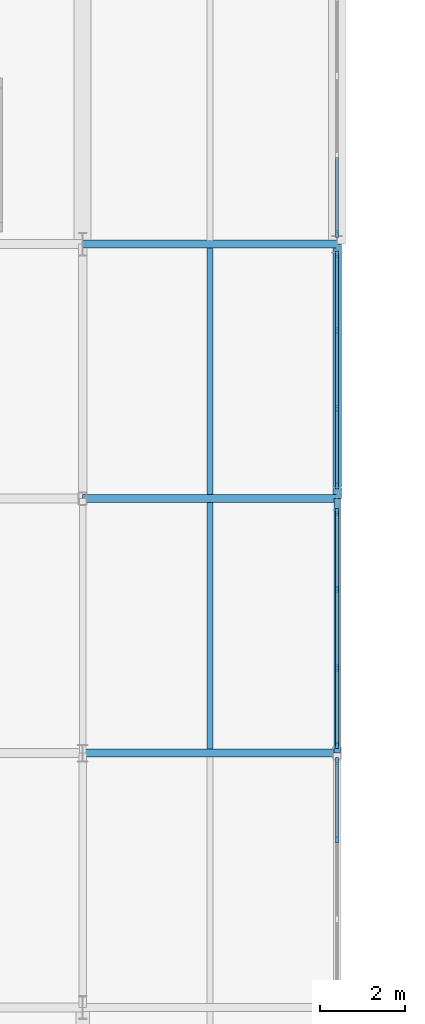
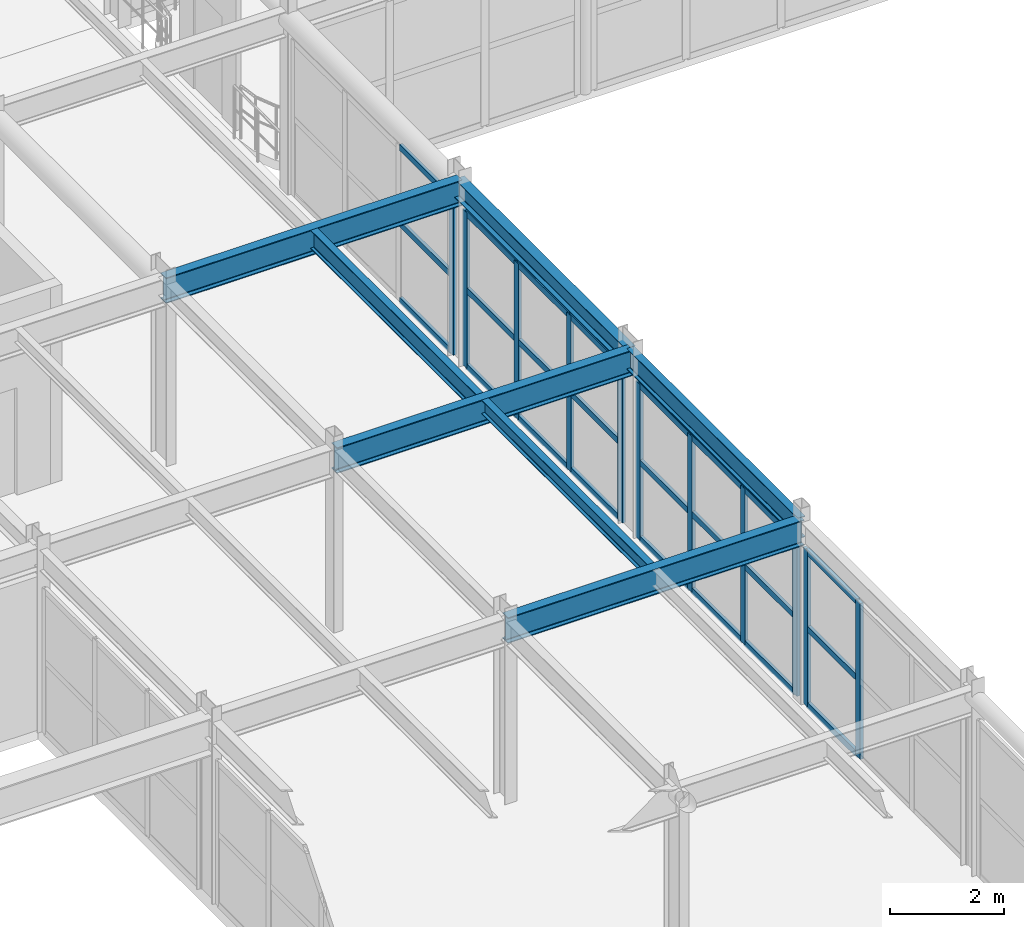
# One storey, part 41 of 116: 35 members, 7 beams, 4 elements without a shape of their own.
"""IFC4 building model written with IfcOpenShell, lengths in metres."""

from ifc_helpers import new_model, si_unit, direction, frame, origin, origin_2d, place, context, subcontext, project, spatial, rectangle, i_section, extrude, material, material_profile, profile_set, type_object, element, aggregate, save


model = new_model("IFC4")

# Units and contexts
model_context = context("Model", 3, precision=1e-05, world=origin(), true_north=direction((0.0, 1.0)))
body_context = subcontext(model_context, "Body", "Model", "MODEL_VIEW")
ifc_project = project(units=[si_unit("LENGTHUNIT", "METRE"), si_unit("AREAUNIT", "SQUARE_METRE"), si_unit("VOLUMEUNIT", "CUBIC_METRE"), si_unit("PLANEANGLEUNIT", "RADIAN"), si_unit("MASSUNIT", "GRAM", prefix="KILO")], contexts=[model_context])

# Site, building, storey
site_placement = place(None, origin())
site = spatial("IfcSite", under=ifc_project, at=site_placement, CompositionType="ELEMENT")
building_placement = place(site_placement, origin())
building = spatial("IfcBuilding", under=site, at=building_placement, Name="Varnakota Square Police Headquarters", CompositionType="ELEMENT")
storey_placement = place(building_placement, frame((0.0, 0.0, 9.300048828125)))
storey = spatial("IfcBuildingStorey", under=building, at=storey_placement, Name="L02", CompositionType="ELEMENT", Elevation=9.300048828125)

# Beams
ifc_material_1 = material(Name="Steel IS 2062 Grade 350", Category="steel")
ifc_material_profile_1 = material_profile(ifc_material_1, i_section(OverallWidth=0.139892578125, OverallDepth=0.300048828125, WebThickness=0.0078125, FlangeThickness=0.01318359375, FilletRadius=0.013916015625, at=origin_2d()), Name="ISMB 300")
ifc_profile_set_1 = profile_set([ifc_material_profile_1], Name="Steel IS 2062 Grade 350")
beam_type_1 = type_object("IfcBeamType", Name="BM-ISMB300", PredefinedType="JOIST", material=ifc_profile_set_1)
beam_1_placement = place(storey_placement, frame((39.0, 51.093017578125, 3.75), z_axis=(0.0, 1.0, 0.0), x_axis=(-1.0, 0.0, 0.0)))
element("IfcBeam", 1, at=beam_1_placement, inside=storey, type_object=beam_type_1, Name="BMG-L02-2364", PredefinedType="JOIST", context=body_context, shape_type="SweptSolid", body=[
    extrude(i_section(OverallWidth=0.139892578125, OverallDepth=0.300048828125, WebThickness=0.0078125, FlangeThickness=0.01318359375, FilletRadius=0.013916015625, at=origin_2d()), origin(), (0.0, 0.0, 1.0), 5.81396484375),
])
ifc_material_profile_2 = material_profile(ifc_material_1, i_section(OverallWidth=0.139892578125, OverallDepth=0.39990234375, WebThickness=0.0087890625, FlangeThickness=0.01611328125, FilletRadius=0.013916015625, at=origin_2d()), Name="ISMB 400")
ifc_profile_set_2 = profile_set([ifc_material_profile_2], Name="Steel IS 2062 Grade 350")
beam_type_2 = type_object("IfcBeamType", Name="BM-ISMB400", PredefinedType="JOIST", material=ifc_profile_set_2)
beam_2_placement = place(storey_placement, frame((39.0, 57.093017578125, 3.699951171875), z_axis=(0.0, 1.0, 0.0), x_axis=(-1.0, 0.0, 0.0)))
element("IfcBeam", 2, at=beam_2_placement, inside=storey, type_object=beam_type_2, Name="BMG-L02-2365", PredefinedType="JOIST", context=body_context, shape_type="SweptSolid", body=[
    extrude(i_section(OverallWidth=0.139892578125, OverallDepth=0.39990234375, WebThickness=0.0087890625, FlangeThickness=0.01611328125, FilletRadius=0.013916015625, at=origin_2d()), origin(), (0.0, 0.0, 1.0), 5.81396484375),
])
ifc_material_profile_3 = material_profile(ifc_material_1, i_section(OverallWidth=0.14990234375, OverallDepth=0.449951171875, WebThickness=0.009521484375, FlangeThickness=0.017333984375, FilletRadius=0.014892578125, at=origin_2d()), Name="ISMB 450")
ifc_profile_set_3 = profile_set([ifc_material_profile_3], Name="Steel IS 2062 Grade 350")
beam_type_3 = type_object("IfcBeamType", Name="BM-ISMB450", PredefinedType="BEAM", material=ifc_profile_set_3)
beam_3_placement = place(storey_placement, frame((42.0, 51.0, 3.675048828125), z_axis=(0.0, 1.0, 0.0), x_axis=(-1.0, 0.0, 0.0)))
element("IfcBeam", 3, at=beam_3_placement, inside=storey, type_object=beam_type_3, Name="BMG-L02-2188", PredefinedType="BEAM", context=body_context, shape_type="SweptSolid", body=[
    extrude(i_section(OverallWidth=0.14990234375, OverallDepth=0.449951171875, WebThickness=0.009521484375, FlangeThickness=0.017333984375, FilletRadius=0.014892578125, at=origin_2d()), origin(), (0.0, 0.0, 1.0), 6.0),
])
ifc_material_profile_4 = material_profile(ifc_material_1, i_section(OverallWidth=0.18994140625, OverallDepth=0.550048828125, WebThickness=0.01123046875, FlangeThickness=0.019287109375, FilletRadius=0.01806640625, at=origin_2d()), Name="ISMB 550")
ifc_profile_set_4 = profile_set([ifc_material_profile_4], Name="Steel IS 2062 Grade 350")
beam_type_4 = type_object("IfcBeamType", Name="BM-ISMB550", PredefinedType="BEAM", material=ifc_profile_set_4)
for number, where, z_axis, x_axis, name in (
    (4, (36.0, 51.0, 3.625), (1.0, 0.0, 0.0), (0.0, 1.0, 0.0), "BMG-L02-1993"),
    (5, (36.0, 57.0, 3.625), (1.0, 0.0, 0.0), (0.0, 1.0, 0.0), "BMG-L02-1999"),
    (6, (36.0, 63.0, 3.625), (1.0, 0.0, 0.0), (0.0, 1.0, 0.0), "BMG-L02-2005"),
):
    element("IfcBeam", number, at=place(storey_placement, frame(where, z_axis=z_axis, x_axis=x_axis)), inside=storey, type_object=beam_type_4, Name=name, PredefinedType="BEAM", context=body_context, shape_type="SweptSolid", body=[
        extrude(i_section(OverallWidth=0.18994140625, OverallDepth=0.550048828125, WebThickness=0.01123046875, FlangeThickness=0.019287109375, FilletRadius=0.01806640625, at=origin_2d()), origin(), (0.0, 0.0, 1.0), 6.0),
    ])
ifc_material_profile_5 = material_profile(ifc_material_1, i_section(OverallWidth=0.199951171875, OverallDepth=0.39990234375, WebThickness=0.008544921875, FlangeThickness=0.012939453125, FilletRadius=0.012939453125, at=origin_2d()), Name="ISWB 400")
ifc_profile_set_5 = profile_set([ifc_material_profile_5], Name="Steel IS 2062 Grade 350")
beam_type_5 = type_object("IfcBeamType", Name="BM-ISWB400", PredefinedType="BEAM", material=ifc_profile_set_5)
beam_4_placement = place(storey_placement, frame((42.0, 57.0, 3.699951171875), z_axis=(0.0, 1.0, 0.0), x_axis=(-1.0, 0.0, 0.0)))
element("IfcBeam", 7, at=beam_4_placement, inside=storey, type_object=beam_type_5, Name="BMG-L02-2189", PredefinedType="BEAM", context=body_context, shape_type="SweptSolid", body=[
    extrude(i_section(OverallWidth=0.199951171875, OverallDepth=0.39990234375, WebThickness=0.008544921875, FlangeThickness=0.012939453125, FilletRadius=0.012939453125, at=origin_2d()), origin(), (0.0, 0.0, 1.0), 6.0),
])

# Curtain wall, members
ifc_material_2 = material(Name="Anodised Aluminium Framing", Category="aluminium")
curtain_wall_type = type_object("IfcCurtainWallType", Name="CW-SYS-D", PredefinedType="NOTDEFINED", material=ifc_material_2)
curtain_wall_1_placement = place(storey_placement, origin())
curtain_wall_1 = element("IfcCurtainWall", 8, at=curtain_wall_1_placement, inside=storey, type_object=curtain_wall_type, Name="Unitised curtain wall CWG-L02-157", PredefinedType="NOTDEFINED")
ifc_material_3 = material(Name="Anodised Aluminium 6063-T6", Category="aluminium")
ifc_material_profile_6 = material_profile(ifc_material_3, rectangle(XDim=0.06494140625, YDim=0.159912109375, at=origin_2d()), Name="ALU MULLION 65x160")
ifc_profile_set_6 = profile_set([ifc_material_profile_6], Name="Anodised Aluminium 6063-T6")
member_type_1 = type_object("IfcMemberType", Name="CWM-150", PredefinedType="MULLION", material=ifc_profile_set_6)
member_1_placement = place(storey_placement, frame((42.0, 48.965087890625, 0.0), z_axis=(0.0, 0.0, 1.0), x_axis=(-1.0, 0.0, 0.0)))
member_1 = element("IfcMember", 9, at=member_1_placement, type_object=member_type_1, Name="CWG-L02-157 mullion 3", PredefinedType="MULLION", context=body_context, shape_type="SweptSolid", body=[
    extrude(rectangle(XDim=0.06494140625, YDim=0.159912109375, at=origin_2d()), origin(), (0.0, 0.0, 1.0), 3.33984375),
])
member_2_placement = place(storey_placement, frame((42.0, 50.8125, 0.0), z_axis=(0.0, 0.0, 1.0), x_axis=(-1.0, 0.0, 0.0)))
member_2 = element("IfcMember", 10, at=member_2_placement, type_object=member_type_1, Name="CWG-L02-157 mullion 4", PredefinedType="MULLION", context=body_context, shape_type="SweptSolid", body=[
    extrude(rectangle(XDim=0.06494140625, YDim=0.159912109375, at=origin_2d()), origin(), (0.0, 0.0, 1.0), 3.33984375),
])

curtain_wall_2_placement = place(storey_placement, origin())
curtain_wall_2 = element("IfcCurtainWall", 11, at=curtain_wall_2_placement, inside=storey, type_object=curtain_wall_type, Name="Unitised curtain wall CWG-L02-158", PredefinedType="NOTDEFINED")
member_3_placement = place(storey_placement, frame((42.0, 51.1875, 0.0), z_axis=(0.0, 0.0, 1.0), x_axis=(-1.0, 0.0, 0.0)))
member_3 = element("IfcMember", 12, at=member_3_placement, type_object=member_type_1, Name="CWG-L02-158 mullion 1", PredefinedType="MULLION", context=body_context, shape_type="SweptSolid", body=[
    extrude(rectangle(XDim=0.06494140625, YDim=0.159912109375, at=origin_2d()), origin(), (0.0, 0.0, 1.0), 3.33984375),
])
member_4_placement = place(storey_placement, frame((42.0, 53.010009765625, 0.0), z_axis=(0.0, 0.0, 1.0), x_axis=(-1.0, 0.0, 0.0)))
member_4 = element("IfcMember", 13, at=member_4_placement, type_object=member_type_1, Name="CWG-L02-158 mullion 2", PredefinedType="MULLION", context=body_context, shape_type="SweptSolid", body=[
    extrude(rectangle(XDim=0.06494140625, YDim=0.159912109375, at=origin_2d()), origin(), (0.0, 0.0, 1.0), 3.33984375),
])
member_5_placement = place(storey_placement, frame((42.0, 54.864990234375, 0.0), z_axis=(0.0, 0.0, 1.0), x_axis=(-1.0, 0.0, 0.0)))
member_5 = element("IfcMember", 14, at=member_5_placement, type_object=member_type_1, Name="CWG-L02-158 mullion 3", PredefinedType="MULLION", context=body_context, shape_type="SweptSolid", body=[
    extrude(rectangle(XDim=0.06494140625, YDim=0.159912109375, at=origin_2d()), origin(), (0.0, 0.0, 1.0), 3.33984375),
])
member_6_placement = place(storey_placement, frame((42.0, 56.6875, 0.0), z_axis=(0.0, 0.0, 1.0), x_axis=(-1.0, 0.0, 0.0)))
member_6 = element("IfcMember", 15, at=member_6_placement, type_object=member_type_1, Name="CWG-L02-158 mullion 4", PredefinedType="MULLION", context=body_context, shape_type="SweptSolid", body=[
    extrude(rectangle(XDim=0.06494140625, YDim=0.159912109375, at=origin_2d()), origin(), (0.0, 0.0, 1.0), 3.33984375),
])

curtain_wall_3_placement = place(storey_placement, origin())
curtain_wall_3 = element("IfcCurtainWall", 16, at=curtain_wall_3_placement, inside=storey, type_object=curtain_wall_type, Name="Unitised curtain wall CWG-L02-159", PredefinedType="NOTDEFINED")
member_7_placement = place(storey_placement, frame((42.0, 57.3125, 0.0), z_axis=(0.0, 0.0, 1.0), x_axis=(-1.0, 0.0, 0.0)))
member_7 = element("IfcMember", 17, at=member_7_placement, type_object=member_type_1, Name="CWG-L02-159 mullion 1", PredefinedType="MULLION", context=body_context, shape_type="SweptSolid", body=[
    extrude(rectangle(XDim=0.06494140625, YDim=0.159912109375, at=origin_2d()), origin(), (0.0, 0.0, 1.0), 3.33984375),
])
member_8_placement = place(storey_placement, frame((42.0, 59.118408203125, 0.0), z_axis=(0.0, 0.0, 1.0), x_axis=(-1.0, 0.0, 0.0)))
member_8 = element("IfcMember", 18, at=member_8_placement, type_object=member_type_1, Name="CWG-L02-159 mullion 2", PredefinedType="MULLION", context=body_context, shape_type="SweptSolid", body=[
    extrude(rectangle(XDim=0.06494140625, YDim=0.159912109375, at=origin_2d()), origin(), (0.0, 0.0, 1.0), 3.33984375),
])
member_9_placement = place(storey_placement, frame((42.0, 60.956787109375, 0.0), z_axis=(0.0, 0.0, 1.0), x_axis=(-1.0, 0.0, 0.0)))
member_9 = element("IfcMember", 19, at=member_9_placement, type_object=member_type_1, Name="CWG-L02-159 mullion 3", PredefinedType="MULLION", context=body_context, shape_type="SweptSolid", body=[
    extrude(rectangle(XDim=0.06494140625, YDim=0.159912109375, at=origin_2d()), origin(), (0.0, 0.0, 1.0), 3.33984375),
])
member_10_placement = place(storey_placement, frame((42.0, 62.762451171875, 0.0), z_axis=(0.0, 0.0, 1.0), x_axis=(-1.0, 0.0, 0.0)))
member_10 = element("IfcMember", 20, at=member_10_placement, type_object=member_type_1, Name="CWG-L02-159 mullion 4", PredefinedType="MULLION", context=body_context, shape_type="SweptSolid", body=[
    extrude(rectangle(XDim=0.06494140625, YDim=0.159912109375, at=origin_2d()), origin(), (0.0, 0.0, 1.0), 3.33984375),
])

# Curtain wall, member
curtain_wall_4_placement = place(storey_placement, origin())
curtain_wall_4 = element("IfcCurtainWall", 21, at=curtain_wall_4_placement, inside=storey, type_object=curtain_wall_type, Name="Unitised curtain wall CWG-L02-160", PredefinedType="NOTDEFINED")
member_11_placement = place(storey_placement, frame((42.0, 63.237548828125, 0.0), z_axis=(0.0, 0.0, 1.0), x_axis=(-1.0, 0.0, 0.0)))
member_11 = element("IfcMember", 22, at=member_11_placement, type_object=member_type_1, Name="CWG-L02-160 mullion 1", PredefinedType="MULLION", context=body_context, shape_type="SweptSolid", body=[
    extrude(rectangle(XDim=0.06494140625, YDim=0.159912109375, at=origin_2d()), origin(), (0.0, 0.0, 1.0), 3.33984375),
])

# Member
ifc_material_profile_7 = material_profile(ifc_material_3, rectangle(XDim=0.06494140625, YDim=0.1298828125, at=origin_2d()), Name="ALU TRANSOM 65x130")
ifc_profile_set_7 = profile_set([ifc_material_profile_7], Name="Anodised Aluminium 6063-T6")
member_type_2 = type_object("IfcMemberType", Name="CWT-120", PredefinedType="USERDEFINED", material=ifc_profile_set_7)
member_12_placement = place(storey_placement, frame((42.0, 48.99755859375, 0.032470703125), z_axis=(0.0, 1.0, 0.0), x_axis=(-1.0, 0.0, 0.0)))
member_12 = element("IfcMember", 23, at=member_12_placement, type_object=member_type_2, Name="CWG-L02-157 transom 3.1", ObjectType="TRANSOM", PredefinedType="USERDEFINED", context=body_context, shape_type="SweptSolid", body=[
    extrude(rectangle(XDim=0.06494140625, YDim=0.1298828125, at=origin_2d()), origin(), (0.0, 0.0, 1.0), 1.782470703125),
])

member_13_placement = place(storey_placement, frame((42.0, 48.99755859375, 1.669921875), z_axis=(0.0, 1.0, 0.0), x_axis=(-1.0, 0.0, 0.0)))
member_13 = element("IfcMember", 24, at=member_13_placement, type_object=member_type_2, Name="CWG-L02-157 transom 3.2", ObjectType="TRANSOM", PredefinedType="USERDEFINED", context=body_context, shape_type="SweptSolid", body=[
    extrude(rectangle(XDim=0.06494140625, YDim=0.1298828125, at=origin_2d()), origin(), (0.0, 0.0, 1.0), 1.782470703125),
])

member_14_placement = place(storey_placement, frame((42.0, 48.99755859375, 3.307373046875), z_axis=(0.0, 1.0, 0.0), x_axis=(-1.0, 0.0, 0.0)))
member_14 = element("IfcMember", 25, at=member_14_placement, type_object=member_type_2, Name="CWG-L02-157 transom 3.3", ObjectType="TRANSOM", PredefinedType="USERDEFINED", context=body_context, shape_type="SweptSolid", body=[
    extrude(rectangle(XDim=0.06494140625, YDim=0.1298828125, at=origin_2d()), origin(), (0.0, 0.0, 1.0), 1.782470703125),
])

aggregate(curtain_wall_1, [member_1, member_2, member_12, member_13, member_14])

member_15_placement = place(storey_placement, frame((42.0, 51.219970703125, 0.032470703125), z_axis=(0.0, 1.0, 0.0), x_axis=(-1.0, 0.0, 0.0)))
member_15 = element("IfcMember", 26, at=member_15_placement, type_object=member_type_2, Name="CWG-L02-158 transom 1.1", ObjectType="TRANSOM", PredefinedType="USERDEFINED", context=body_context, shape_type="SweptSolid", body=[
    extrude(rectangle(XDim=0.06494140625, YDim=0.1298828125, at=origin_2d()), origin(), (0.0, 0.0, 1.0), 1.757568359375),
])

member_16_placement = place(storey_placement, frame((42.0, 51.219970703125, 1.669921875), z_axis=(0.0, 1.0, 0.0), x_axis=(-1.0, 0.0, 0.0)))
member_16 = element("IfcMember", 27, at=member_16_placement, type_object=member_type_2, Name="CWG-L02-158 transom 1.2", ObjectType="TRANSOM", PredefinedType="USERDEFINED", context=body_context, shape_type="SweptSolid", body=[
    extrude(rectangle(XDim=0.06494140625, YDim=0.1298828125, at=origin_2d()), origin(), (0.0, 0.0, 1.0), 1.757568359375),
])

member_17_placement = place(storey_placement, frame((42.0, 51.219970703125, 3.307373046875), z_axis=(0.0, 1.0, 0.0), x_axis=(-1.0, 0.0, 0.0)))
member_17 = element("IfcMember", 28, at=member_17_placement, type_object=member_type_2, Name="CWG-L02-158 transom 1.3", ObjectType="TRANSOM", PredefinedType="USERDEFINED", context=body_context, shape_type="SweptSolid", body=[
    extrude(rectangle(XDim=0.06494140625, YDim=0.1298828125, at=origin_2d()), origin(), (0.0, 0.0, 1.0), 1.757568359375),
])

member_18_placement = place(storey_placement, frame((42.0, 53.04248046875, 0.032470703125), z_axis=(0.0, 1.0, 0.0), x_axis=(-1.0, 0.0, 0.0)))
member_18 = element("IfcMember", 29, at=member_18_placement, type_object=member_type_2, Name="CWG-L02-158 transom 2.1", ObjectType="TRANSOM", PredefinedType="USERDEFINED", context=body_context, shape_type="SweptSolid", body=[
    extrude(rectangle(XDim=0.06494140625, YDim=0.1298828125, at=origin_2d()), origin(), (0.0, 0.0, 1.0), 1.7900390625),
])

member_19_placement = place(storey_placement, frame((42.0, 53.04248046875, 1.669921875), z_axis=(0.0, 1.0, 0.0), x_axis=(-1.0, 0.0, 0.0)))
member_19 = element("IfcMember", 30, at=member_19_placement, type_object=member_type_2, Name="CWG-L02-158 transom 2.2", ObjectType="TRANSOM", PredefinedType="USERDEFINED", context=body_context, shape_type="SweptSolid", body=[
    extrude(rectangle(XDim=0.06494140625, YDim=0.1298828125, at=origin_2d()), origin(), (0.0, 0.0, 1.0), 1.7900390625),
])

member_20_placement = place(storey_placement, frame((42.0, 53.04248046875, 3.307373046875), z_axis=(0.0, 1.0, 0.0), x_axis=(-1.0, 0.0, 0.0)))
member_20 = element("IfcMember", 31, at=member_20_placement, type_object=member_type_2, Name="CWG-L02-158 transom 2.3", ObjectType="TRANSOM", PredefinedType="USERDEFINED", context=body_context, shape_type="SweptSolid", body=[
    extrude(rectangle(XDim=0.06494140625, YDim=0.1298828125, at=origin_2d()), origin(), (0.0, 0.0, 1.0), 1.7900390625),
])

member_21_placement = place(storey_placement, frame((42.0, 54.8974609375, 0.032470703125), z_axis=(0.0, 1.0, 0.0), x_axis=(-1.0, 0.0, 0.0)))
member_21 = element("IfcMember", 32, at=member_21_placement, type_object=member_type_2, Name="CWG-L02-158 transom 3.1", ObjectType="TRANSOM", PredefinedType="USERDEFINED", context=body_context, shape_type="SweptSolid", body=[
    extrude(rectangle(XDim=0.06494140625, YDim=0.1298828125, at=origin_2d()), origin(), (0.0, 0.0, 1.0), 1.757568359375),
])

member_22_placement = place(storey_placement, frame((42.0, 54.8974609375, 1.669921875), z_axis=(0.0, 1.0, 0.0), x_axis=(-1.0, 0.0, 0.0)))
member_22 = element("IfcMember", 33, at=member_22_placement, type_object=member_type_2, Name="CWG-L02-158 transom 3.2", ObjectType="TRANSOM", PredefinedType="USERDEFINED", context=body_context, shape_type="SweptSolid", body=[
    extrude(rectangle(XDim=0.06494140625, YDim=0.1298828125, at=origin_2d()), origin(), (0.0, 0.0, 1.0), 1.757568359375),
])

member_23_placement = place(storey_placement, frame((42.0, 54.8974609375, 3.307373046875), z_axis=(0.0, 1.0, 0.0), x_axis=(-1.0, 0.0, 0.0)))
member_23 = element("IfcMember", 34, at=member_23_placement, type_object=member_type_2, Name="CWG-L02-158 transom 3.3", ObjectType="TRANSOM", PredefinedType="USERDEFINED", context=body_context, shape_type="SweptSolid", body=[
    extrude(rectangle(XDim=0.06494140625, YDim=0.1298828125, at=origin_2d()), origin(), (0.0, 0.0, 1.0), 1.757568359375),
])

aggregate(curtain_wall_2, [member_3, member_4, member_5, member_6, member_15, member_16, member_17, member_18, member_19, member_20, member_21, member_22, member_23])

member_24_placement = place(storey_placement, frame((42.0, 57.344970703125, 0.032470703125), z_axis=(0.0, 1.0, 0.0), x_axis=(-1.0, 0.0, 0.0)))
member_24 = element("IfcMember", 35, at=member_24_placement, type_object=member_type_2, Name="CWG-L02-159 transom 1.1", ObjectType="TRANSOM", PredefinedType="USERDEFINED", context=body_context, shape_type="SweptSolid", body=[
    extrude(rectangle(XDim=0.06494140625, YDim=0.1298828125, at=origin_2d()), origin(), (0.0, 0.0, 1.0), 1.740966796875),
])

member_25_placement = place(storey_placement, frame((42.0, 57.344970703125, 1.669921875), z_axis=(0.0, 1.0, 0.0), x_axis=(-1.0, 0.0, 0.0)))
member_25 = element("IfcMember", 36, at=member_25_placement, type_object=member_type_2, Name="CWG-L02-159 transom 1.2", ObjectType="TRANSOM", PredefinedType="USERDEFINED", context=body_context, shape_type="SweptSolid", body=[
    extrude(rectangle(XDim=0.06494140625, YDim=0.1298828125, at=origin_2d()), origin(), (0.0, 0.0, 1.0), 1.740966796875),
])

member_26_placement = place(storey_placement, frame((42.0, 57.344970703125, 3.307373046875), z_axis=(0.0, 1.0, 0.0), x_axis=(-1.0, 0.0, 0.0)))
member_26 = element("IfcMember", 37, at=member_26_placement, type_object=member_type_2, Name="CWG-L02-159 transom 1.3", ObjectType="TRANSOM", PredefinedType="USERDEFINED", context=body_context, shape_type="SweptSolid", body=[
    extrude(rectangle(XDim=0.06494140625, YDim=0.1298828125, at=origin_2d()), origin(), (0.0, 0.0, 1.0), 1.740966796875),
])

member_27_placement = place(storey_placement, frame((42.0, 59.15087890625, 0.032470703125), z_axis=(0.0, 1.0, 0.0), x_axis=(-1.0, 0.0, 0.0)))
member_27 = element("IfcMember", 38, at=member_27_placement, type_object=member_type_2, Name="CWG-L02-159 transom 2.1", ObjectType="TRANSOM", PredefinedType="USERDEFINED", context=body_context, shape_type="SweptSolid", body=[
    extrude(rectangle(XDim=0.06494140625, YDim=0.1298828125, at=origin_2d()), origin(), (0.0, 0.0, 1.0), 1.773193359375),
])

member_28_placement = place(storey_placement, frame((42.0, 59.15087890625, 1.669921875), z_axis=(0.0, 1.0, 0.0), x_axis=(-1.0, 0.0, 0.0)))
member_28 = element("IfcMember", 39, at=member_28_placement, type_object=member_type_2, Name="CWG-L02-159 transom 2.2", ObjectType="TRANSOM", PredefinedType="USERDEFINED", context=body_context, shape_type="SweptSolid", body=[
    extrude(rectangle(XDim=0.06494140625, YDim=0.1298828125, at=origin_2d()), origin(), (0.0, 0.0, 1.0), 1.773193359375),
])

member_29_placement = place(storey_placement, frame((42.0, 59.15087890625, 3.307373046875), z_axis=(0.0, 1.0, 0.0), x_axis=(-1.0, 0.0, 0.0)))
member_29 = element("IfcMember", 40, at=member_29_placement, type_object=member_type_2, Name="CWG-L02-159 transom 2.3", ObjectType="TRANSOM", PredefinedType="USERDEFINED", context=body_context, shape_type="SweptSolid", body=[
    extrude(rectangle(XDim=0.06494140625, YDim=0.1298828125, at=origin_2d()), origin(), (0.0, 0.0, 1.0), 1.773193359375),
])

member_30_placement = place(storey_placement, frame((42.0, 60.9892578125, 0.032470703125), z_axis=(0.0, 1.0, 0.0), x_axis=(-1.0, 0.0, 0.0)))
member_30 = element("IfcMember", 41, at=member_30_placement, type_object=member_type_2, Name="CWG-L02-159 transom 3.1", ObjectType="TRANSOM", PredefinedType="USERDEFINED", context=body_context, shape_type="SweptSolid", body=[
    extrude(rectangle(XDim=0.06494140625, YDim=0.1298828125, at=origin_2d()), origin(), (0.0, 0.0, 1.0), 1.74072265625),
])

member_31_placement = place(storey_placement, frame((42.0, 60.9892578125, 1.669921875), z_axis=(0.0, 1.0, 0.0), x_axis=(-1.0, 0.0, 0.0)))
member_31 = element("IfcMember", 42, at=member_31_placement, type_object=member_type_2, Name="CWG-L02-159 transom 3.2", ObjectType="TRANSOM", PredefinedType="USERDEFINED", context=body_context, shape_type="SweptSolid", body=[
    extrude(rectangle(XDim=0.06494140625, YDim=0.1298828125, at=origin_2d()), origin(), (0.0, 0.0, 1.0), 1.74072265625),
])

member_32_placement = place(storey_placement, frame((42.0, 60.9892578125, 3.307373046875), z_axis=(0.0, 1.0, 0.0), x_axis=(-1.0, 0.0, 0.0)))
member_32 = element("IfcMember", 43, at=member_32_placement, type_object=member_type_2, Name="CWG-L02-159 transom 3.3", ObjectType="TRANSOM", PredefinedType="USERDEFINED", context=body_context, shape_type="SweptSolid", body=[
    extrude(rectangle(XDim=0.06494140625, YDim=0.1298828125, at=origin_2d()), origin(), (0.0, 0.0, 1.0), 1.74072265625),
])

aggregate(curtain_wall_3, [member_7, member_8, member_9, member_10, member_24, member_25, member_26, member_27, member_28, member_29, member_30, member_31, member_32])

member_33_placement = place(storey_placement, frame((42.0, 63.27001953125, 0.032470703125), z_axis=(0.0, 1.0, 0.0), x_axis=(-1.0, 0.0, 0.0)))
member_33 = element("IfcMember", 44, at=member_33_placement, type_object=member_type_2, Name="CWG-L02-160 transom 1.1", ObjectType="TRANSOM", PredefinedType="USERDEFINED", context=body_context, shape_type="SweptSolid", body=[
    extrude(rectangle(XDim=0.06494140625, YDim=0.1298828125, at=origin_2d()), origin(), (0.0, 0.0, 1.0), 1.782470703125),
])

member_34_placement = place(storey_placement, frame((42.0, 63.27001953125, 1.669921875), z_axis=(0.0, 1.0, 0.0), x_axis=(-1.0, 0.0, 0.0)))
member_34 = element("IfcMember", 45, at=member_34_placement, type_object=member_type_2, Name="CWG-L02-160 transom 1.2", ObjectType="TRANSOM", PredefinedType="USERDEFINED", context=body_context, shape_type="SweptSolid", body=[
    extrude(rectangle(XDim=0.06494140625, YDim=0.1298828125, at=origin_2d()), origin(), (0.0, 0.0, 1.0), 1.782470703125),
])

member_35_placement = place(storey_placement, frame((42.0, 63.27001953125, 3.307373046875), z_axis=(0.0, 1.0, 0.0), x_axis=(-1.0, 0.0, 0.0)))
member_35 = element("IfcMember", 46, at=member_35_placement, type_object=member_type_2, Name="CWG-L02-160 transom 1.3", ObjectType="TRANSOM", PredefinedType="USERDEFINED", context=body_context, shape_type="SweptSolid", body=[
    extrude(rectangle(XDim=0.06494140625, YDim=0.1298828125, at=origin_2d()), origin(), (0.0, 0.0, 1.0), 1.782470703125),
])

aggregate(curtain_wall_4, [member_11, member_33, member_34, member_35])

save(model, "model.ifc")
